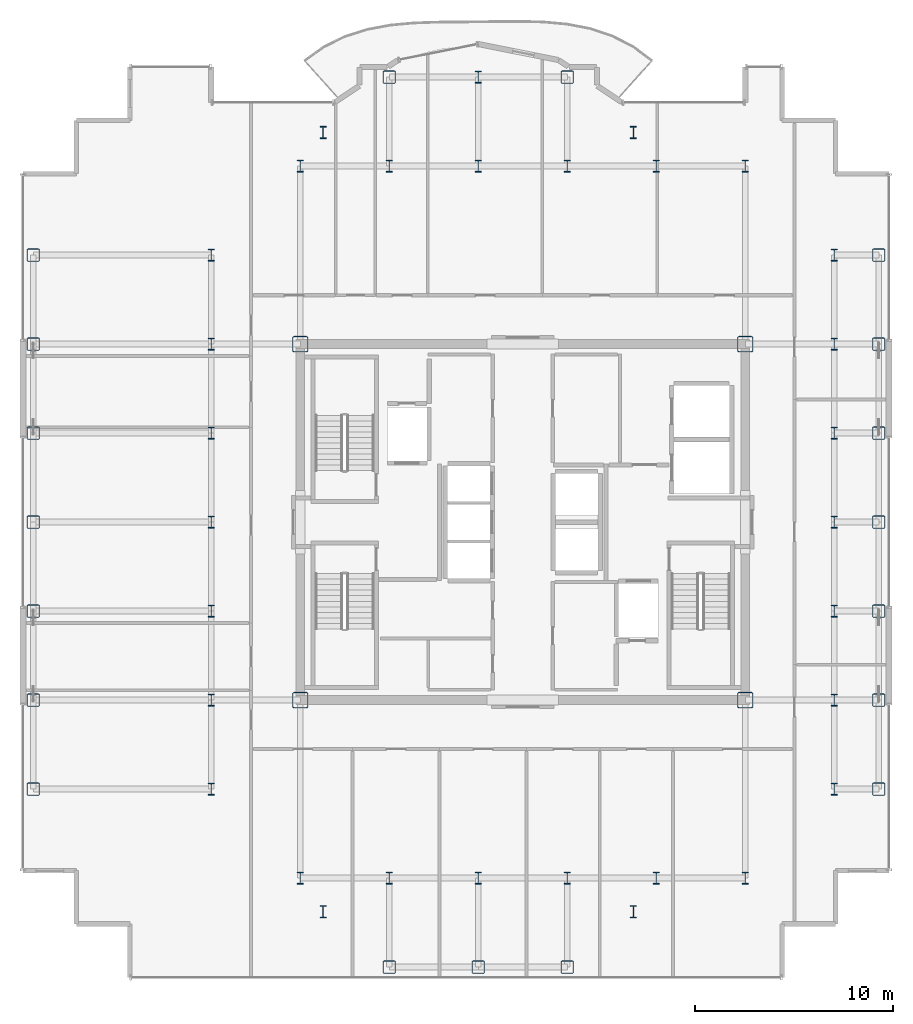
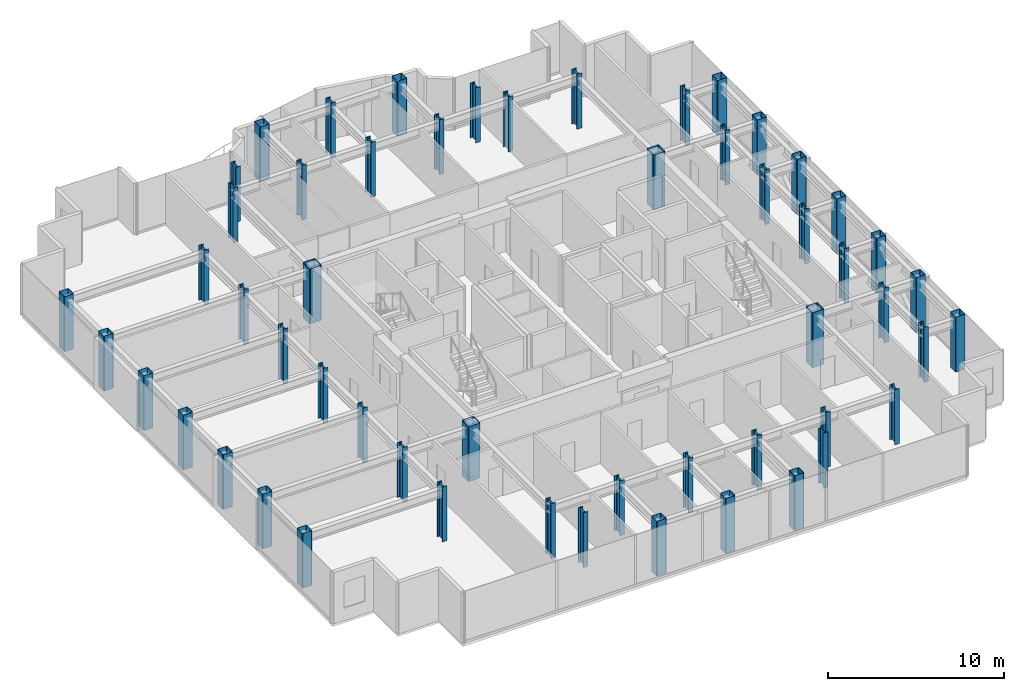
# One storey, part 1 of 16: 54 columns.
"""IFC4 building model written with IfcOpenShell, lengths in metres."""

from ifc_helpers import new_model, si_unit, direction, frame, origin, origin_2d, place, context, subcontext, project, spatial, hollow_rectangle, i_section, extrude, source, transform, mapped, material, material_profile, profile_set, type_object, element, save


model = new_model("IFC4")

# Units and contexts
model_context = context("Model", 3, precision=1e-05, world=origin(), true_north=direction((0.0, 1.0)))
body_context = subcontext(model_context, "Body", "Model", "MODEL_VIEW")
ifc_project = project(units=[si_unit("LENGTHUNIT", "METRE"), si_unit("AREAUNIT", "SQUARE_METRE"), si_unit("VOLUMEUNIT", "CUBIC_METRE"), si_unit("PLANEANGLEUNIT", "RADIAN"), si_unit("MASSUNIT", "GRAM", prefix="KILO")], contexts=[model_context])

# Site, building, storey
site_placement = place(None, origin())
site = spatial("IfcSite", under=ifc_project, at=site_placement, CompositionType="ELEMENT")
building_placement = place(site_placement, origin())
building = spatial("IfcBuilding", under=site, at=building_placement, Name="Nefas-Gora Pilgrimage Tower", CompositionType="ELEMENT")
storey_placement = place(building_placement, frame((0.0, 0.0, 276.0)))
storey = spatial("IfcBuildingStorey", under=building, at=storey_placement, Name="L69", CompositionType="ELEMENT", Elevation=276.0)

# Columns
ifc_material_1 = material(Name="Steel S460", Category="steel")
ifc_material_profile_1 = material_profile(ifc_material_1, hollow_rectangle(XDim=0.800048828125, YDim=0.800048828125, WallThickness=0.0400390625, InnerFilletRadius=0.0400390625, OuterFilletRadius=0.080078125, at=origin_2d()), Name="BOX 800x800x40")
ifc_profile_set_1 = profile_set([ifc_material_profile_1], Name="Steel S460")
column_type_1 = type_object("IfcColumnType", Name="COL-CORE-800", PredefinedType="COLUMN", material=ifc_profile_set_1)
shared_shape_1 = source(origin(), body_context, "Body", "SweptSolid", [
    extrude(hollow_rectangle(XDim=0.800048828125, YDim=0.800048828125, WallThickness=0.0400390625, InnerFilletRadius=0.0400390625, OuterFilletRadius=0.080078125, at=origin_2d()), origin(), (0.0, 0.0, 1.0), 3.800048828125),
])
for number, where, z_axis, x_axis, name in (
    (1, (-11.25, -9.0, 0.0), (0.0, 0.0, 1.0), (1.0, 0.0, 0.0), "L69 Tower Column CC-Z2.16"),
    (2, (-11.25, 9.0, 0.0), (0.0, 0.0, 1.0), (1.0, 0.0, 0.0), "L69 Tower Column CC-Z2.17"),
    (3, (11.25, -9.0, 0.0), (0.0, 0.0, 1.0), (1.0, 0.0, 0.0), "L69 Tower Column CC-Z2.38"),
    (4, (11.25, 9.0, 0.0), (0.0, 0.0, 1.0), (1.0, 0.0, 0.0), "L69 Tower Column CC-Z2.39"),
):
    element("IfcColumn", number, at=place(storey_placement, frame(where, z_axis=z_axis, x_axis=x_axis)), inside=storey, type_object=column_type_1, Name=name, PredefinedType="COLUMN", context=body_context, shape_type="MappedRepresentation", body=[
        mapped(shared_shape_1, transform((0.0, 0.0, 0.0), x_axis=(1.0, 0.0, 0.0), y_axis=(0.0, 1.0, 0.0), z_axis=(0.0, 0.0, 1.0), scale=1.0)),
    ])
ifc_material_profile_2 = material_profile(ifc_material_1, hollow_rectangle(XDim=0.64990234375, YDim=0.64990234375, WallThickness=0.031982421875, InnerFilletRadius=0.031982421875, OuterFilletRadius=0.06396484375, at=origin_2d()), Name="BOX 650x650x32")
ifc_profile_set_2 = profile_set([ifc_material_profile_2], Name="Steel S460")
column_type_2 = type_object("IfcColumnType", Name="COL-TUBE-650", PredefinedType="COLUMN", material=ifc_profile_set_2)
shared_shape_2 = source(origin(), body_context, "Body", "SweptSolid", [
    extrude(hollow_rectangle(XDim=0.64990234375, YDim=0.64990234375, WallThickness=0.031982421875, InnerFilletRadius=0.031982421875, OuterFilletRadius=0.06396484375, at=origin_2d()), origin(), (0.0, 0.0, 1.0), 3.800048828125),
])
for number, where, z_axis, x_axis, name in (
    (5, (-24.75, -13.5, 0.0), (0.0, 0.0, 1.0), (1.0, 0.0, 0.0), "L69 Tower Column C-Z3.1"),
    (6, (-24.75, -9.0, 0.0), (0.0, 0.0, 1.0), (1.0, 0.0, 0.0), "L69 Tower Column C-Z3.2"),
    (7, (-24.75, -4.5, 0.0), (0.0, 0.0, 1.0), (1.0, 0.0, 0.0), "L69 Tower Column C-Z3.3"),
    (8, (-24.75, 0.0, 0.0), (0.0, 0.0, 1.0), (1.0, 0.0, 0.0), "L69 Tower Column C-Z3.4"),
    (9, (-24.75, 4.5, 0.0), (0.0, 0.0, 1.0), (1.0, 0.0, 0.0), "L69 Tower Column C-Z3.5"),
    (10, (-24.75, 9.0, 0.0), (0.0, 0.0, 1.0), (1.0, 0.0, 0.0), "L69 Tower Column C-Z3.6"),
    (11, (-24.75, 13.5, 0.0), (0.0, 0.0, 1.0), (1.0, 0.0, 0.0), "L69 Tower Column C-Z3.7"),
    (12, (-6.75, -22.5, 0.0), (0.0, 0.0, 1.0), (1.0, 0.0, 0.0), "L69 Tower Column C-Z3.21"),
    (13, (-6.75, 22.5, 0.0), (0.0, 0.0, 1.0), (1.0, 0.0, 0.0), "L69 Tower Column C-Z3.24"),
    (14, (-2.25, -22.5, 0.0), (0.0, 0.0, 1.0), (1.0, 0.0, 0.0), "L69 Tower Column C-Z3.25"),
    (15, (2.25, -22.5, 0.0), (0.0, 0.0, 1.0), (1.0, 0.0, 0.0), "L69 Tower Column C-Z3.29"),
    (16, (2.25, 22.5, 0.0), (0.0, 0.0, 1.0), (1.0, 0.0, 0.0), "L69 Tower Column C-Z3.32"),
    (17, (18.0, -13.5, 0.0), (0.0, 0.0, 1.0), (1.0, 0.0, 0.0), "L69 Tower Column C-Z3.48"),
    (18, (18.0, -9.0, 0.0), (0.0, 0.0, 1.0), (1.0, 0.0, 0.0), "L69 Tower Column C-Z3.49"),
    (19, (18.0, -4.5, 0.0), (0.0, 0.0, 1.0), (1.0, 0.0, 0.0), "L69 Tower Column C-Z3.50"),
    (20, (18.0, 0.0, 0.0), (0.0, 0.0, 1.0), (1.0, 0.0, 0.0), "L69 Tower Column C-Z3.51"),
    (21, (18.0, 4.5, 0.0), (0.0, 0.0, 1.0), (1.0, 0.0, 0.0), "L69 Tower Column C-Z3.52"),
    (22, (18.0, 9.0, 0.0), (0.0, 0.0, 1.0), (1.0, 0.0, 0.0), "L69 Tower Column C-Z3.53"),
    (23, (18.0, 13.5, 0.0), (0.0, 0.0, 1.0), (1.0, 0.0, 0.0), "L69 Tower Column C-Z3.54"),
):
    element("IfcColumn", number, at=place(storey_placement, frame(where, z_axis=z_axis, x_axis=x_axis)), inside=storey, type_object=column_type_2, Name=name, PredefinedType="COLUMN", context=body_context, shape_type="MappedRepresentation", body=[
        mapped(shared_shape_2, transform((0.0, 0.0, 0.0), x_axis=(1.0, 0.0, 0.0), y_axis=(0.0, 1.0, 0.0), z_axis=(0.0, 0.0, 1.0), scale=1.0)),
    ])
ifc_material_2 = material(Name="Steel S355", Category="steel")
ifc_material_profile_3 = material_profile(ifc_material_2, i_section(OverallWidth=0.304931640625, OverallDepth=0.6201171875, WebThickness=0.02099609375, FlangeThickness=0.0400390625, FilletRadius=0.027099609375, at=origin_2d()), Name="HEM 600")
ifc_profile_set_3 = profile_set([ifc_material_profile_3], Name="Steel S355")
column_type_3 = type_object("IfcColumnType", Name="COL-WEB-HEM600", PredefinedType="COLUMN", material=ifc_profile_set_3)
shared_shape_3 = source(origin(), body_context, "Body", "SweptSolid", [
    extrude(i_section(OverallWidth=0.304931640625, OverallDepth=0.6201171875, WebThickness=0.02099609375, FlangeThickness=0.0400390625, FilletRadius=0.027099609375, at=origin_2d()), origin(), (0.0, 0.0, 1.0), 3.800048828125),
])
for number, where, z_axis, x_axis, name in (
    (24, (-15.75, -13.5, 0.0), (0.0, 0.0, 1.0), (1.0, 0.0, 0.0), "L69 Tower Column CW-03.8"),
    (25, (-15.75, -9.0, 0.0), (0.0, 0.0, 1.0), (1.0, 0.0, 0.0), "L69 Tower Column CW-03.9"),
    (26, (-15.75, -4.5, 0.0), (0.0, 0.0, 1.0), (1.0, 0.0, 0.0), "L69 Tower Column CW-03.10"),
    (27, (-15.75, 0.0, 0.0), (0.0, 0.0, 1.0), (1.0, 0.0, 0.0), "L69 Tower Column CW-03.11"),
    (28, (-15.75, 4.5, 0.0), (0.0, 0.0, 1.0), (1.0, 0.0, 0.0), "L69 Tower Column CW-03.12"),
    (29, (-15.75, 9.0, 0.0), (0.0, 0.0, 1.0), (1.0, 0.0, 0.0), "L69 Tower Column CW-03.13"),
    (30, (-15.75, 13.5, 0.0), (0.0, 0.0, 1.0), (1.0, 0.0, 0.0), "L69 Tower Column CW-03.14"),
    (31, (-11.25, -18.0, 0.0), (0.0, 0.0, 1.0), (1.0, 0.0, 0.0), "L69 Tower Column CW-03.15"),
    (32, (-11.25, 18.0, 0.0), (0.0, 0.0, 1.0), (1.0, 0.0, 0.0), "L69 Tower Column CW-03.18"),
    (33, (-10.091064453125, -19.696044921875, 0.0), (0.0, 0.0, 1.0), (1.0, 0.0, 0.0), "L69 Tower Column CW-03.19"),
    (34, (-10.091064453125, 19.696044921875, 0.0), (0.0, 0.0, 1.0), (1.0, 0.0, 0.0), "L69 Tower Column CW-03.20"),
    (35, (-6.75, -18.0, 0.0), (0.0, 0.0, 1.0), (1.0, 0.0, 0.0), "L69 Tower Column CW-03.22"),
    (36, (-6.75, 18.0, 0.0), (0.0, 0.0, 1.0), (1.0, 0.0, 0.0), "L69 Tower Column CW-03.23"),
    (37, (-2.25, -18.0, 0.0), (0.0, 0.0, 1.0), (1.0, 0.0, 0.0), "L69 Tower Column CW-03.26"),
    (38, (-2.25, 18.0, 0.0), (0.0, 0.0, 1.0), (1.0, 0.0, 0.0), "L69 Tower Column CW-03.27"),
    (39, (-2.25, 22.5, 0.0), (0.0, 0.0, 1.0), (1.0, 0.0, 0.0), "L69 Tower Column CW-03.28"),
    (40, (2.25, -18.0, 0.0), (0.0, 0.0, 1.0), (1.0, 0.0, 0.0), "L69 Tower Column CW-03.30"),
    (41, (2.25, 18.0, 0.0), (0.0, 0.0, 1.0), (1.0, 0.0, 0.0), "L69 Tower Column CW-03.31"),
    (42, (5.591064453125, -19.696044921875, 0.0), (0.0, 0.0, 1.0), (1.0, 0.0, 0.0), "L69 Tower Column CW-03.33"),
    (43, (5.591064453125, 19.696044921875, 0.0), (0.0, 0.0, 1.0), (1.0, 0.0, 0.0), "L69 Tower Column CW-03.34"),
    (44, (6.75, -18.0, 0.0), (0.0, 0.0, 1.0), (1.0, 0.0, 0.0), "L69 Tower Column CW-03.35"),
    (45, (6.75, 18.0, 0.0), (0.0, 0.0, 1.0), (1.0, 0.0, 0.0), "L69 Tower Column CW-03.36"),
    (46, (11.25, -18.0, 0.0), (0.0, 0.0, 1.0), (1.0, 0.0, 0.0), "L69 Tower Column CW-03.37"),
    (47, (11.25, 18.0, 0.0), (0.0, 0.0, 1.0), (1.0, 0.0, 0.0), "L69 Tower Column CW-03.40"),
    (48, (15.75, -13.5, 0.0), (0.0, 0.0, 1.0), (1.0, 0.0, 0.0), "L69 Tower Column CW-03.41"),
    (49, (15.75, -9.0, 0.0), (0.0, 0.0, 1.0), (1.0, 0.0, 0.0), "L69 Tower Column CW-03.42"),
    (50, (15.75, -4.5, 0.0), (0.0, 0.0, 1.0), (1.0, 0.0, 0.0), "L69 Tower Column CW-03.43"),
    (51, (15.75, 0.0, 0.0), (0.0, 0.0, 1.0), (1.0, 0.0, 0.0), "L69 Tower Column CW-03.44"),
    (52, (15.75, 4.5, 0.0), (0.0, 0.0, 1.0), (1.0, 0.0, 0.0), "L69 Tower Column CW-03.45"),
    (53, (15.75, 9.0, 0.0), (0.0, 0.0, 1.0), (1.0, 0.0, 0.0), "L69 Tower Column CW-03.46"),
    (54, (15.75, 13.5, 0.0), (0.0, 0.0, 1.0), (1.0, 0.0, 0.0), "L69 Tower Column CW-03.47"),
):
    element("IfcColumn", number, at=place(storey_placement, frame(where, z_axis=z_axis, x_axis=x_axis)), inside=storey, type_object=column_type_3, Name=name, PredefinedType="COLUMN", context=body_context, shape_type="MappedRepresentation", body=[
        mapped(shared_shape_3, transform((0.0, 0.0, 0.0), x_axis=(1.0, 0.0, 0.0), y_axis=(0.0, 1.0, 0.0), z_axis=(0.0, 0.0, 1.0), scale=1.0)),
    ])

save(model, "model.ifc")
